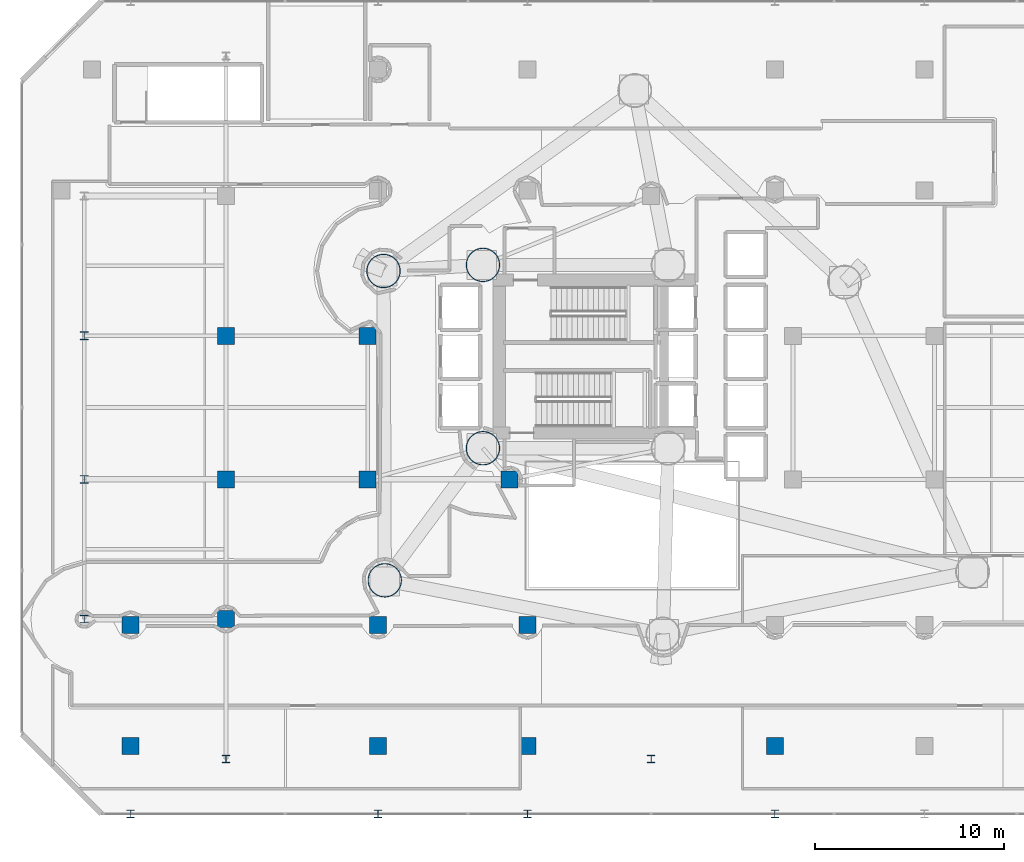
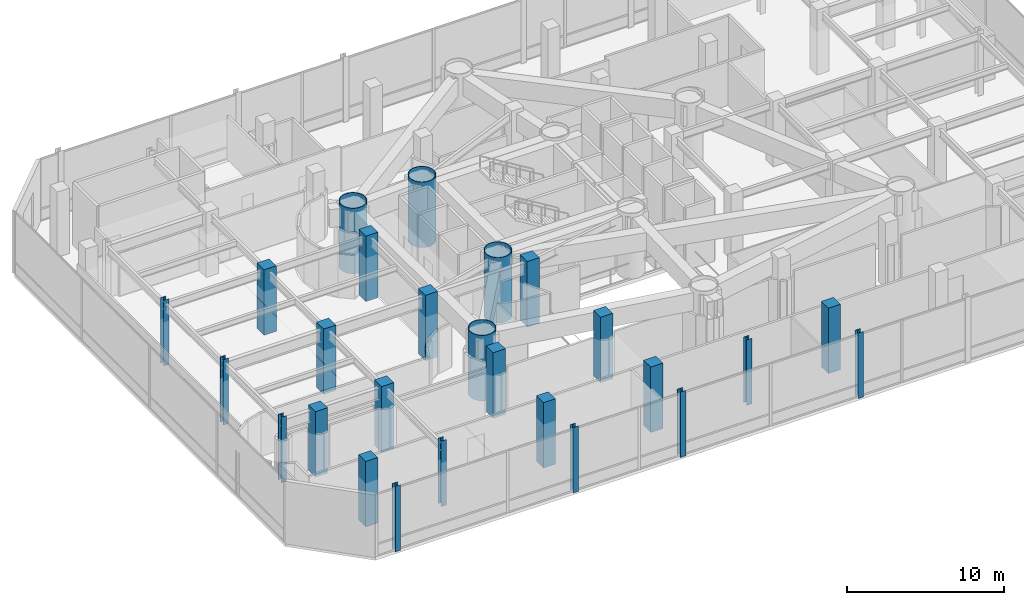
# One storey, part 1 of 40: 26 columns.
"""IFC4 building model written with IfcOpenShell, lengths in metres."""

from ifc_helpers import new_model, si_unit, direction, frame, origin, origin_2d, place, context, subcontext, project, spatial, rectangle, hollow_circle, i_section, extrude, material, material_profile, profile_set, type_object, element, save


model = new_model("IFC4")

# Units and contexts
model_context = context("Model", 3, precision=1e-05, world=origin(), true_north=direction((0.0, 1.0)))
body_context = subcontext(model_context, "Body", "Model", "MODEL_VIEW")
ifc_project = project(units=[si_unit("LENGTHUNIT", "METRE"), si_unit("AREAUNIT", "SQUARE_METRE"), si_unit("VOLUMEUNIT", "CUBIC_METRE"), si_unit("PLANEANGLEUNIT", "RADIAN"), si_unit("MASSUNIT", "GRAM", prefix="KILO")], contexts=[model_context])

# Site, building, storey
site_placement = place(None, origin())
site = spatial("IfcSite", under=ifc_project, at=site_placement, CompositionType="ELEMENT")
building_placement = place(site_placement, origin())
building = spatial("IfcBuilding", under=site, at=building_placement, Name="Qianvela Tower", CompositionType="ELEMENT")
storey_placement = place(building_placement, frame((0.0, 0.0, 20.60009765625)))
storey = spatial("IfcBuildingStorey", under=building, at=storey_placement, Name="L04", CompositionType="ELEMENT", Elevation=20.60009765625)

# Columns
ifc_material_1 = material(Name="Steel Q420GJC", Category="steel")
ifc_material_profile_1 = material_profile(ifc_material_1, hollow_circle(Radius=0.89990234375, WallThickness=0.044921875, at=origin_2d()), Name="CFT-1800x45")
ifc_profile_set_1 = profile_set([ifc_material_profile_1], Name="Steel Q420GJC")
column_type_1 = type_object("IfcColumnType", Name="COL-CFT-1800x45", PredefinedType="COLUMN", material=ifc_profile_set_1)
for number, where, z_axis, x_axis, name in (
    (1, (28.60009765625, 33.550048828125, 0.0), (0.0, 0.0, 1.0), (1.0, 0.0, 0.0), "L04 Core Corner Mega-Column CC-NW"),
    (2, (28.60009765625, 23.85009765625, 0.0), (0.0, 0.0, 1.0), (1.0, 0.0, 0.0), "L04 Core Corner Mega-Column CC-SW"),
    (3, (23.337890625, 33.22802734375, 0.0), (0.0, 0.0, 1.0), (1.0, 0.0, 0.0), "L04 Tower Base CFT Mega-Column C4"),
    (4, (23.404052734375, 16.860107421875, 0.0), (0.0, 0.0, 1.0), (1.0, 0.0, 0.0), "L04 Tower Base CFT Mega-Column C5"),
):
    element("IfcColumn", number, at=place(storey_placement, frame(where, z_axis=z_axis, x_axis=x_axis)), inside=storey, type_object=column_type_1, Name=name, PredefinedType="COLUMN", context=body_context, shape_type="SweptSolid", body=[
        extrude(hollow_circle(Radius=0.89990234375, WallThickness=0.044921875, at=origin_2d()), origin(), (0.0, 0.0, 1.0), 5.099853515625),
    ])
ifc_material_2 = material(Name="Steel Q355B", Category="steel")
ifc_material_profile_2 = material_profile(ifc_material_2, i_section(OverallWidth=0.39990234375, OverallDepth=0.39990234375, WebThickness=0.012939453125, FlangeThickness=0.02099609375, at=origin_2d()), Name="HW400x400x13x21")
ifc_profile_set_2 = profile_set([ifc_material_profile_2], Name="Steel Q355B")
column_type_2 = type_object("IfcColumnType", Name="COL-HW-400", PredefinedType="COLUMN", material=ifc_profile_set_2)
for number, where, z_axis, x_axis, name in (
    (5, (7.5, 14.800048828125, 0.0), (0.0, 0.0, 1.0), (1.0, 0.0, 0.0), "L04 Podium Grid Column P01"),
    (6, (7.5, 22.199951171875, 0.0), (0.0, 0.0, 1.0), (1.0, 0.0, 0.0), "L04 Podium Grid Column P02"),
    (7, (7.5, 29.800048828125, 0.0), (0.0, 0.0, 1.0), (1.0, 0.0, 0.0), "L04 Podium Grid Column P03"),
    (8, (15.0, 7.39990234375, 0.0), (0.0, 0.0, 1.0), (1.0, 0.0, 0.0), "L04 Podium Grid Column P05"),
    (9, (37.5, 7.39990234375, 0.0), (0.0, 0.0, 1.0), (1.0, 0.0, 0.0), "L04 Podium Grid Column P22"),
    (10, (9.955322265625, 4.5, 0.0), (0.0, 0.0, 1.0), (1.0, 0.0, 0.0), "L04 V-Column Transfer Post VC-S1-L"),
    (11, (23.044677734375, 4.5, 0.0), (0.0, 0.0, 1.0), (1.0, 0.0, 0.0), "L04 V-Column Transfer Post VC-S1-R"),
    (12, (30.955322265625, 4.5, 0.0), (0.0, 0.0, 1.0), (1.0, 0.0, 0.0), "L04 V-Column Transfer Post VC-S2-L"),
    (13, (44.044677734375, 4.5, 0.0), (0.0, 0.0, 1.0), (1.0, 0.0, 0.0), "L04 V-Column Transfer Post VC-S2-R"),
):
    element("IfcColumn", number, at=place(storey_placement, frame(where, z_axis=z_axis, x_axis=x_axis)), inside=storey, type_object=column_type_2, Name=name, PredefinedType="COLUMN", context=body_context, shape_type="SweptSolid", body=[
        extrude(i_section(OverallWidth=0.39990234375, OverallDepth=0.39990234375, WebThickness=0.012939453125, FlangeThickness=0.02099609375, at=origin_2d()), origin(), (0.0, 0.0, 1.0), 5.099853515625),
    ])
ifc_material_3 = material(Name="Concrete C60", Category="concrete")
ifc_material_profile_3 = material_profile(ifc_material_3, rectangle(XDim=0.89990234375, YDim=0.89990234375, at=origin_2d()), Name="RC-COL-900x900")
ifc_profile_set_3 = profile_set([ifc_material_profile_3], Name="Concrete C60")
column_type_3 = type_object("IfcColumnType", Name="COL-RC-900", PredefinedType="COLUMN", material=ifc_profile_set_3)
for number, where, z_axis, x_axis, name in (
    (14, (9.955322265625, 8.10009765625, 0.0), (0.0, 0.0, 1.0), (1.0, 0.0, 0.0), "L04 Concourse Colonnade Column VC-S1-L-B1"),
    (15, (9.955322265625, 14.5, 0.0), (0.0, 0.0, 1.0), (1.0, 0.0, 0.0), "L04 Concourse Colonnade Column VC-S1-L-B2"),
    (16, (23.044677734375, 8.10009765625, 0.0), (0.0, 0.0, 1.0), (1.0, 0.0, 0.0), "L04 Concourse Colonnade Column VC-S1-R-B1"),
    (17, (23.044677734375, 14.5, 0.0), (0.0, 0.0, 1.0), (1.0, 0.0, 0.0), "L04 Concourse Colonnade Column VC-S1-R-B2"),
    (18, (30.955322265625, 8.10009765625, 0.0), (0.0, 0.0, 1.0), (1.0, 0.0, 0.0), "L04 Concourse Colonnade Column VC-S2-L-B1"),
    (19, (30.955322265625, 14.5, 0.0), (0.0, 0.0, 1.0), (1.0, 0.0, 0.0), "L04 Concourse Colonnade Column VC-S2-L-B2"),
    (20, (44.044677734375, 8.10009765625, 0.0), (0.0, 0.0, 1.0), (1.0, 0.0, 0.0), "L04 Concourse Colonnade Column VC-S2-R-B1"),
    (21, (15.0, 14.800048828125, 0.0), (0.0, 0.0, 1.0), (1.0, 0.0, 0.0), "L04 Podium Grid Column P06"),
    (22, (15.0, 22.199951171875, 0.0), (0.0, 0.0, 1.0), (1.0, 0.0, 0.0), "L04 Podium Grid Column P07"),
    (23, (15.0, 29.800048828125, 0.0), (0.0, 0.0, 1.0), (1.0, 0.0, 0.0), "L04 Podium Grid Column P08"),
    (24, (22.5, 22.199951171875, 0.0), (0.0, 0.0, 1.0), (1.0, 0.0, 0.0), "L04 Podium Grid Column P13"),
    (25, (22.5, 29.800048828125, 0.0), (0.0, 0.0, 1.0), (1.0, 0.0, 0.0), "L04 Podium Grid Column P14"),
    (26, (30.0, 22.199951171875, 0.0), (0.0, 0.0, 1.0), (1.0, 0.0, 0.0), "L04 Podium Grid Column P19"),
):
    element("IfcColumn", number, at=place(storey_placement, frame(where, z_axis=z_axis, x_axis=x_axis)), inside=storey, type_object=column_type_3, Name=name, PredefinedType="COLUMN", context=body_context, shape_type="SweptSolid", body=[
        extrude(rectangle(XDim=0.89990234375, YDim=0.89990234375, at=origin_2d()), origin(), (0.0, 0.0, 1.0), 5.099853515625),
    ])

save(model, "model.ifc")
